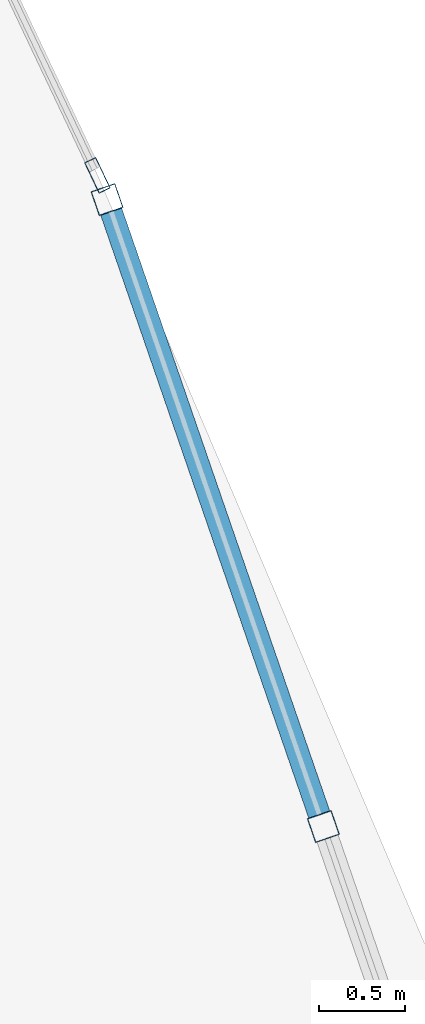
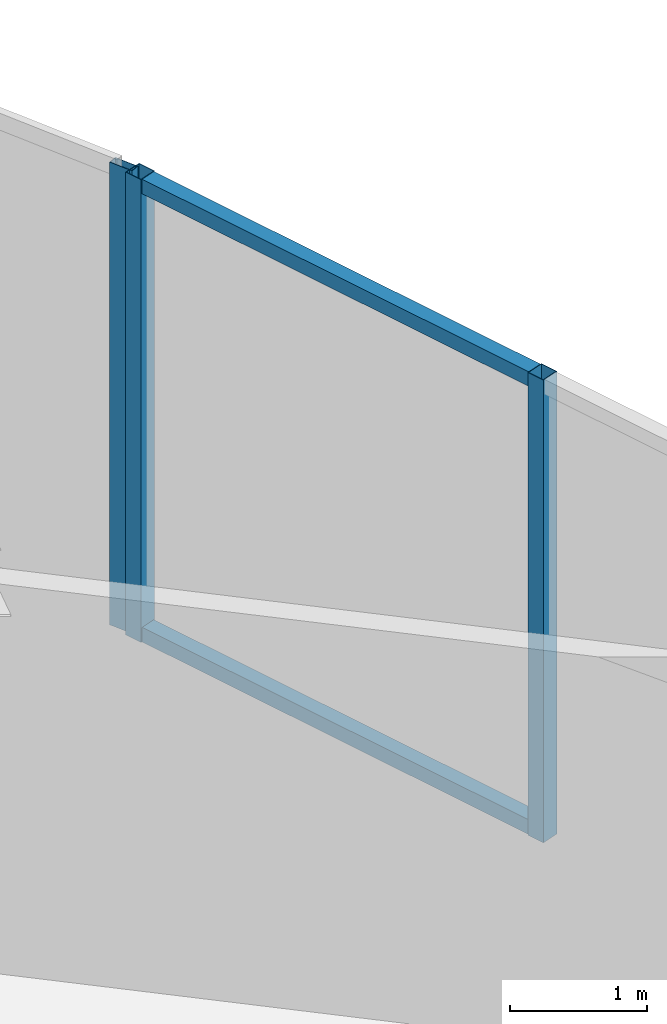
# One storey, part 16 of 33: 5 members, 2 elements without a shape of their own.
"""IFC4 building model written with IfcOpenShell, lengths in metres."""

import ifcopenshell
import ifcopenshell.guid

model = None  # the IFC model being written
_history = None  # IfcOwnerHistory: only IFC2X3 demands one
_inside = {}  # id of a spatial element -> (the spatial element, [elements in it])
_under = {}  # id of a project, library or spatial element -> (it, [spatial elements below it])
_declared = {}  # id of a project -> (the project, [libraries it declares])
_typed = {}  # id of a type object -> (the type object, [elements of that type])
_made_of = {}  # id of a material, layer set ... -> (it, [elements and type objects made of it])


def new_model(schema):
    """Start an empty IFC model of exactly this schema.

    Asked for "IFC4X3", IfcOpenShell would pick the latest addendum, in which some entities
    have other attributes; the version numbers below select the first issue.
    IFC2X3 requires an IfcOwnerHistory on every rooted entity: one is made here for all.
    """
    global model, _history
    if schema == "IFC4X3":
        model = ifcopenshell.file(schema_version=(4, 3, 0, 0))
    else:
        model = ifcopenshell.file(schema=schema)
    _inside.clear()
    _under.clear()
    _declared.clear()
    _typed.clear()
    _made_of.clear()
    _history = None
    if model.schema == "IFC2X3":
        org = make("IfcOrganization", Name="unknown")
        user = make(
            "IfcPersonAndOrganization",
            ThePerson=make("IfcPerson", FamilyName="unknown"),
            TheOrganization=org,
        )
        app = make(
            "IfcApplication",
            ApplicationDeveloper=org,
            Version="unknown",
            ApplicationFullName="unknown",
            ApplicationIdentifier="unknown",
        )
        _history = make(
            "IfcOwnerHistory",
            OwningUser=user,
            OwningApplication=app,
            ChangeAction="ADDED",
            CreationDate=0,
        )
    return model


def make(cls, **values):
    """One entity of the class cls with the attributes given. An attribute that is None is left unset."""
    return model.create_entity(
        cls, **{name: value for name, value in values.items() if value is not None}
    )


def rooted(cls, **values):
    """An entity with a GlobalId (a new one), such as an element, a storey or a relation."""
    return make(cls, GlobalId=ifcopenshell.guid.new(), OwnerHistory=_history, **values)


def si_unit(unit_type, name, prefix=None):
    """IfcSIUnit, for example si_unit("LENGTHUNIT", "METRE", prefix="MILLI")."""
    return make("IfcSIUnit", UnitType=unit_type, Prefix=prefix, Name=name)


def assignment(units):
    """IfcUnitAssignment: the units of a project."""
    return None if units is None else make("IfcUnitAssignment", Units=units)


def point(xyz):
    """IfcCartesianPoint."""
    return None if xyz is None else make("IfcCartesianPoint", Coordinates=xyz)


def direction(xyz):
    """IfcDirection."""
    return None if xyz is None else make("IfcDirection", DirectionRatios=xyz)


def frame(location, z_axis=None, x_axis=None):
    """IfcAxis2Placement3D, a coordinate frame: its origin and axes. An axis left out is left unset."""
    return make(
        "IfcAxis2Placement3D",
        Location=point(location),
        Axis=direction(z_axis),
        RefDirection=direction(x_axis),
    )


def frame_2d(location, x_axis=None):
    """IfcAxis2Placement2D, a coordinate frame in the plane: its origin and x axis."""
    return make(
        "IfcAxis2Placement2D", Location=point(location), RefDirection=direction(x_axis)
    )


def origin():
    """The frame at (0, 0, 0) with its axes left unset."""
    return frame((0.0, 0.0, 0.0))


def origin_2d():
    """The frame at (0, 0) in the plane with its x axis left unset."""
    return frame_2d((0.0, 0.0))


def place(relative_to, where):
    """IfcLocalPlacement: puts the frame where relative to a parent placement (None: the world)."""
    return make(
        "IfcLocalPlacement", PlacementRelTo=relative_to, RelativePlacement=where
    )


def context(
    kind, dimensions, precision=None, world=None, true_north=None, identifier=None
):
    """IfcGeometricRepresentationContext, for example the 3D "Model" context."""
    return make(
        "IfcGeometricRepresentationContext",
        ContextIdentifier=identifier,
        ContextType=kind,
        CoordinateSpaceDimension=dimensions,
        Precision=precision,
        WorldCoordinateSystem=world,
        TrueNorth=true_north,
    )


def subcontext(parent, identifier, kind, view, scale=None):
    """IfcGeometricRepresentationSubContext, for example "Body" below "Model"."""
    return make(
        "IfcGeometricRepresentationSubContext",
        ContextIdentifier=identifier,
        ContextType=kind,
        ParentContext=parent,
        TargetScale=scale,
        TargetView=view,
    )


def project(units=None, contexts=None):
    """IfcProject with its units and contexts."""
    return rooted(
        "IfcProject",
        Name="project",
        RepresentationContexts=contexts,
        UnitsInContext=assignment(units),
    )


def spatial(cls, under=None, at=None, **own):
    """A site, building, storey or space (cls), placed at a placement, below another one or the project."""
    s = rooted(cls, ObjectPlacement=at, **own)
    if under is not None:
        _under.setdefault(under.id(), (under, []))[1].append(s)
    return s


def profile(cls, at=None, kind="AREA", **sizes):
    """A parametric profile (cls). Its sizes go by their IFC names, for example OverallWidth=200.0."""
    return make(cls, ProfileType=kind, Position=at, **sizes)


def hollow_rectangle(**sizes):
    """IfcRectangleHollowProfileDef."""
    return profile("IfcRectangleHollowProfileDef", **sizes)


def extrude(swept, where, along, depth):
    """IfcExtrudedAreaSolid: the profile swept, set in the frame where, extruded along a direction by depth."""
    return make(
        "IfcExtrudedAreaSolid",
        SweptArea=swept,
        Position=where,
        ExtrudedDirection=direction(along),
        Depth=depth,
    )


def shape(context_of_items, identifier, shape_type, items):
    """IfcShapeRepresentation: the items that make up one representation, for example the "Body"."""
    return make(
        "IfcShapeRepresentation",
        ContextOfItems=context_of_items,
        RepresentationIdentifier=identifier,
        RepresentationType=shape_type,
        Items=items,
    )


def material(Name=None, Category=None):
    """IfcMaterial."""
    return make("IfcMaterial", Name=Name, Category=Category)


def layer(
    of_material, thickness, ventilated=None, Name=None, Category=None, Priority=None
):
    """IfcMaterialLayer: one layer of a wall or slab, of a material (None: an air gap)."""
    return make(
        "IfcMaterialLayer",
        Material=of_material,
        LayerThickness=thickness,
        IsVentilated=ventilated,
        Name=Name,
        Category=Category,
        Priority=Priority,
    )


def layer_set(layers, Name=None):
    """IfcMaterialLayerSet."""
    return make("IfcMaterialLayerSet", MaterialLayers=layers, LayerSetName=Name)


def material_profile(
    of_material, cross_section, Name=None, Category=None, Priority=None
):
    """IfcMaterialProfile: a cross section and its material."""
    return make(
        "IfcMaterialProfile",
        Name=Name,
        Material=of_material,
        Profile=cross_section,
        Priority=Priority,
        Category=Category,
    )


def profile_set(profiles, Name=None, composite=None):
    """IfcMaterialProfileSet."""
    return make(
        "IfcMaterialProfileSet",
        Name=Name,
        MaterialProfiles=profiles,
        CompositeProfile=composite,
    )


def made_of(thing, what):
    """Note that an element or type object is made of a material, layer set ...; save() writes the relation."""
    if what is not None:
        _made_of.setdefault(what.id(), (what, []))[1].append(thing)
    return thing


def type_object(cls, material=None, **own):
    """A type object (cls), such as IfcWallType, which elements share."""
    return made_of(rooted(cls, **own), material)


def element(
    cls,
    number,
    at=None,
    inside=None,
    cuts=None,
    type_object=None,
    material=None,
    context=None,
    identifier="Body",
    shape_type=None,
    held_by="IfcProductDefinitionShape",
    body=None,
    shapes=None,
    **own,
):
    """One element of the class cls, such as IfcWall. Its Tag is "e" and its number.

    at: its placement. inside: the storey or other place that contains it. cuts: it is an
    opening in that element (IfcRelVoidsElement). A single representation is given by context,
    identifier, shape_type and body (its items); several are given by shapes. held_by: the class
    of the entity that holds the representations. save() writes the other relations.
    """
    e = rooted(cls, Tag="e%d" % number, ObjectPlacement=at, **own)
    if body is not None:
        shapes = [shape(context, identifier, shape_type, body)]
    if shapes is not None:
        e.Representation = make(held_by, Representations=shapes)
    if inside is not None:
        _inside.setdefault(inside.id(), (inside, []))[1].append(e)
    if cuts is not None:
        rooted(
            "IfcRelVoidsElement", RelatingBuildingElement=cuts, RelatedOpeningElement=e
        )
    if type_object is not None:
        _typed.setdefault(type_object.id(), (type_object, []))[1].append(e)
    return made_of(e, material)


def aggregate(whole, parts):
    """IfcRelAggregates: a whole, such as a stair, and the parts it consists of."""
    return rooted("IfcRelAggregates", RelatingObject=whole, RelatedObjects=parts)


def save(model, path):
    """Write the relations noted so far, then the file.

    IfcRelAggregates (storeys below a building ...), IfcRelContainedInSpatialStructure (elements
    in a storey), IfcRelDefinesByType, IfcRelAssociatesMaterial and IfcRelDeclares: one each for
    every whole, place, type object, material and project.
    """
    for whole, parts in _under.values():
        aggregate(whole, parts)
    for where, things in _inside.values():
        rooted(
            "IfcRelContainedInSpatialStructure",
            RelatedElements=things,
            RelatingStructure=where,
        )
    for kind, things in _typed.values():
        rooted("IfcRelDefinesByType", RelatedObjects=things, RelatingType=kind)
    for what, things in _made_of.values():
        rooted("IfcRelAssociatesMaterial", RelatedObjects=things, RelatingMaterial=what)
    for by, libraries in _declared.values():
        rooted("IfcRelDeclares", RelatingContext=by, RelatedDefinitions=libraries)
    model.write(path)


model = new_model("IFC4")

# Units and contexts
model_context = context("Model", 3, precision=1e-05, world=origin(), true_north=direction((0.0, 1.0)))
body_context = subcontext(model_context, "Body", "Model", "MODEL_VIEW")
ifc_project = project(units=[si_unit("LENGTHUNIT", "METRE"), si_unit("AREAUNIT", "SQUARE_METRE"), si_unit("VOLUMEUNIT", "CUBIC_METRE"), si_unit("PLANEANGLEUNIT", "RADIAN"), si_unit("MASSUNIT", "GRAM", prefix="KILO")], contexts=[model_context])

# Site, building, storey
site_placement = place(None, origin())
site = spatial("IfcSite", under=ifc_project, at=site_placement, CompositionType="ELEMENT")
building_placement = place(site_placement, origin())
building = spatial("IfcBuilding", under=site, at=building_placement, Name="Orvanel Arch Residences", CompositionType="ELEMENT")
storey_placement = place(building_placement, frame((0.0, 0.0, 59.89990234375)))
storey = spatial("IfcBuildingStorey", under=building, at=storey_placement, Name="L16", CompositionType="ELEMENT", Elevation=59.89990234375)

# Curtain wall, members
ifc_material = material(Name="Bronze-anodised aluminium AA6063-T6", Category="aluminium")
ifc_layer_1 = layer(ifc_material, 0.18994140625)
ifc_layer_set_1 = layer_set([ifc_layer_1], Name="Bronze-anodised aluminium AA6063-T6")
curtain_wall_type_1 = type_object("IfcCurtainWallType", Name="CW5-CRN-SYS", PredefinedType="NOTDEFINED", material=ifc_layer_set_1)
curtain_wall_1_placement = place(storey_placement, origin())
curtain_wall_1 = element("IfcCurtainWall", 1, at=curtain_wall_1_placement, inside=storey, type_object=curtain_wall_type_1, Name="L16 CW5-CRN-SYS Unitised Curtain Wall", PredefinedType="NOTDEFINED")
ifc_material_profile_1 = material_profile(ifc_material, hollow_rectangle(XDim=0.14990234375, YDim=0.14990234375, WallThickness=0.0048828125, at=origin_2d()), Name="ALU150x150x5")
ifc_profile_set_1 = profile_set([ifc_material_profile_1], Name="Bronze-anodised aluminium AA6063-T6")
member_type_1 = type_object("IfcMemberType", Name="MUL-150x150", PredefinedType="MULLION", material=ifc_profile_set_1)
member_1_placement = place(storey_placement, frame((59.8173828125, 9.662109375, 0.0), z_axis=(0.0, 0.0, 1.0), x_axis=(-0.945301665121, -0.326197427825, 0.0)))
member_1 = element("IfcMember", 2, at=member_1_placement, type_object=member_type_1, Name="CW-S5 mullion 2", PredefinedType="MULLION", context=body_context, shape_type="SweptSolid", body=[
    extrude(hollow_rectangle(XDim=0.14990234375, YDim=0.14990234375, WallThickness=0.0048828125, at=origin_2d()), origin(), (0.0, 0.0, 1.0), 4.110107421875),
])
member_2_placement = place(storey_placement, frame((58.553466796875, 13.3251953125, 0.0), z_axis=(0.0, 0.0, 1.0), x_axis=(-0.945301665121, -0.326197427825, 0.0)))
member_2 = element("IfcMember", 3, at=member_2_placement, type_object=member_type_1, Name="CW-S5 mullion 3", PredefinedType="MULLION", context=body_context, shape_type="SweptSolid", body=[
    extrude(hollow_rectangle(XDim=0.14990234375, YDim=0.14990234375, WallThickness=0.0048828125, at=origin_2d()), origin(), (0.0, 0.0, 1.0), 4.110107421875),
])

# Curtain wall, member
ifc_layer_2 = layer(ifc_material, 0.195068359375)
ifc_layer_set_2 = layer_set([ifc_layer_2], Name="Bronze-anodised aluminium AA6063-T6")
curtain_wall_type_2 = type_object("IfcCurtainWallType", Name="CW6-COM-SYS", PredefinedType="NOTDEFINED", material=ifc_layer_set_2)
curtain_wall_2_placement = place(storey_placement, origin())
curtain_wall_2 = element("IfcCurtainWall", 4, at=curtain_wall_2_placement, inside=storey, type_object=curtain_wall_type_2, Name="L16 CW6-COM-SYS Unitised Curtain Wall", PredefinedType="NOTDEFINED")
ifc_material_profile_2 = material_profile(ifc_material, hollow_rectangle(XDim=0.074951171875, YDim=0.199951171875, WallThickness=0.0048828125, at=origin_2d()), Name="ALU200x75x5")
ifc_profile_set_2 = profile_set([ifc_material_profile_2], Name="Bronze-anodised aluminium AA6063-T6")
member_type_2 = type_object("IfcMemberType", Name="MUL-200x75", PredefinedType="MULLION", material=ifc_profile_set_2)
member_3_placement = place(storey_placement, frame((58.4970703125, 13.466796875, 0.0), z_axis=(0.0, 0.0, 1.0), x_axis=(-0.903779998039, -0.427997330769, 0.0)))
member_3 = element("IfcMember", 5, at=member_3_placement, type_object=member_type_2, Name="CW-S6 mullion 1", PredefinedType="MULLION", context=body_context, shape_type="SweptSolid", body=[
    extrude(hollow_rectangle(XDim=0.074951171875, YDim=0.199951171875, WallThickness=0.0048828125, at=origin_2d()), origin(), (0.0, 0.0, 1.0), 4.110107421875),
])
aggregate(curtain_wall_2, [member_3])

# Member
ifc_material_profile_3 = material_profile(ifc_material, hollow_rectangle(XDim=0.1298828125, YDim=0.1298828125, WallThickness=0.00439453125, at=origin_2d()), Name="ALU130x130x4.5")
ifc_profile_set_3 = profile_set([ifc_material_profile_3], Name="Bronze-anodised aluminium AA6063-T6")
member_type_3 = type_object("IfcMemberType", Name="TRN-130x130", PredefinedType="USERDEFINED", material=ifc_profile_set_3)
member_4_placement = place(storey_placement, frame((59.79296875, 9.73291015625, 0.065185546875), z_axis=(-0.326198721829, 0.945301218595, 0.0), x_axis=(-0.945301218595, -0.326198721829, 0.0)))
member_4 = element("IfcMember", 6, at=member_4_placement, type_object=member_type_3, Name="CW-S5 transom 2.1", ObjectType="TRANSOM", PredefinedType="USERDEFINED", context=body_context, shape_type="SweptSolid", body=[
    extrude(hollow_rectangle(XDim=0.1298828125, YDim=0.1298828125, WallThickness=0.00439453125, at=origin_2d()), origin(), (0.0, 0.0, 1.0), 3.72509765625),
])

member_5_placement = place(storey_placement, frame((59.79296875, 9.73291015625, 4.045166015625), z_axis=(-0.326198721829, 0.945301218595, 0.0), x_axis=(-0.945301218595, -0.326198721829, 0.0)))
member_5 = element("IfcMember", 7, at=member_5_placement, type_object=member_type_3, Name="CW-S5 transom 2.2", ObjectType="TRANSOM", PredefinedType="USERDEFINED", context=body_context, shape_type="SweptSolid", body=[
    extrude(hollow_rectangle(XDim=0.1298828125, YDim=0.1298828125, WallThickness=0.00439453125, at=origin_2d()), origin(), (0.0, 0.0, 1.0), 3.72509765625),
])

aggregate(curtain_wall_1, [member_1, member_2, member_4, member_5])

save(model, "model.ifc")
